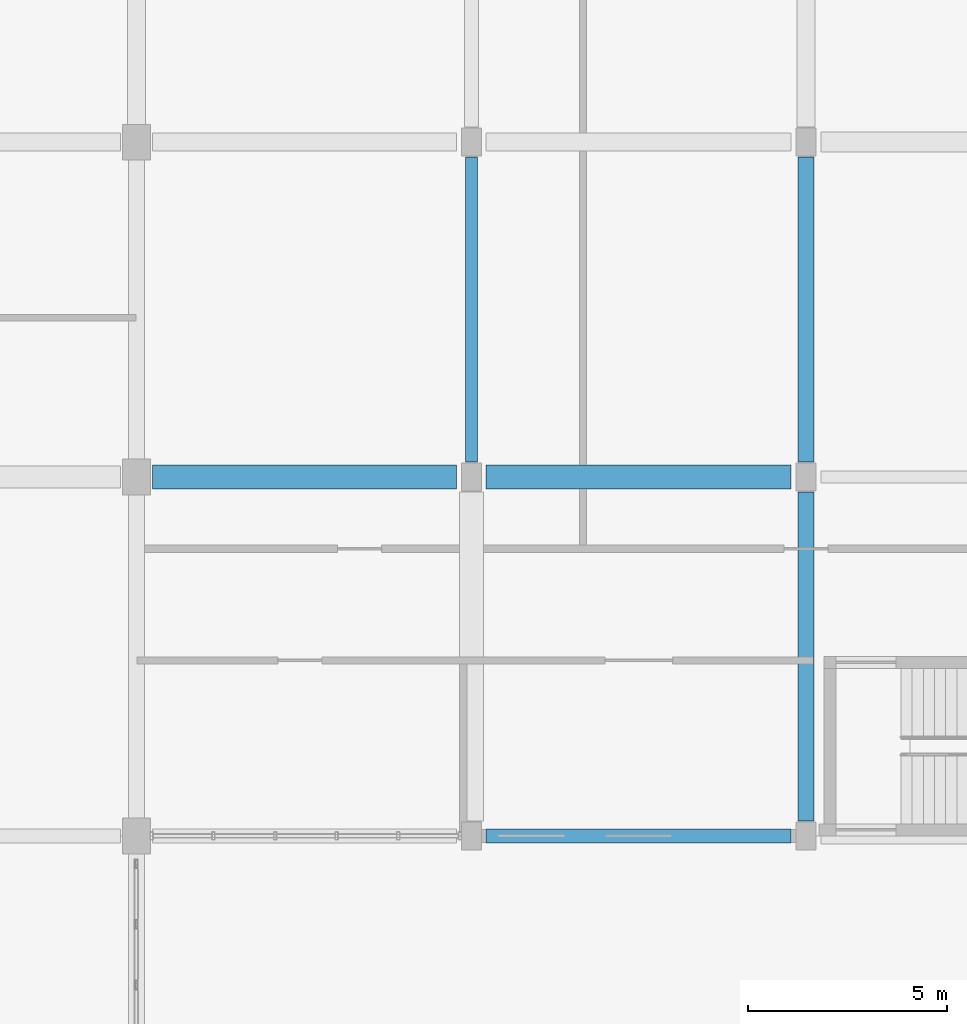
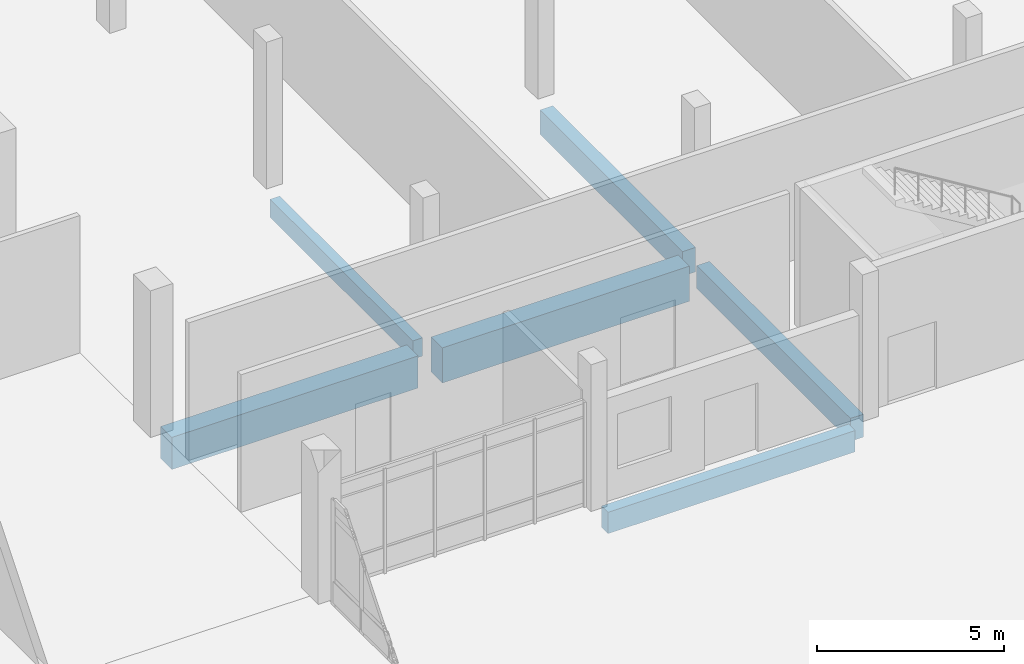
# One storey, part 30 of 95: 6 beams.
"""IFC4 building model written with IfcOpenShell, lengths in metres."""

from ifc_helpers import new_model, si_unit, direction, frame, origin, origin_2d, place, context, subcontext, project, spatial, rectangle, extrude, material, material_profile, profile_set, type_object, element, save


model = new_model("IFC4")

# Units and contexts
model_context = context("Model", 3, precision=1e-05, world=origin(), true_north=direction((0.0, 1.0)))
body_context = subcontext(model_context, "Body", "Model", "MODEL_VIEW")
ifc_project = project(units=[si_unit("LENGTHUNIT", "METRE"), si_unit("AREAUNIT", "SQUARE_METRE"), si_unit("VOLUMEUNIT", "CUBIC_METRE"), si_unit("PLANEANGLEUNIT", "RADIAN"), si_unit("MASSUNIT", "GRAM", prefix="KILO")], contexts=[model_context])

# Site, building, storey
site_placement = place(None, origin())
site = spatial("IfcSite", under=ifc_project, at=site_placement, CompositionType="ELEMENT")
building_placement = place(site_placement, origin())
building = spatial("IfcBuilding", under=site, at=building_placement, Name="Vireocrest Preparatory School", CompositionType="ELEMENT")
storey_placement = place(building_placement, origin())
storey = spatial("IfcBuildingStorey", under=building, at=storey_placement, Name="L00", CompositionType="ELEMENT", Elevation=0.0)

# Beams
ifc_material = material(Name="Concrete 40 MPa", Category="concrete")
ifc_material_profile_1 = material_profile(ifc_material, rectangle(XDim=0.300048828125, YDim=0.60009765625, at=origin_2d()), Name="RC 300x600")
ifc_profile_set_1 = profile_set([ifc_material_profile_1], Name="Concrete 40 MPa")
beam_type_1 = type_object("IfcBeamType", Name="RC Classroom Beam 300x600", PredefinedType="BEAM", material=ifc_profile_set_1)
beam_1_placement = place(storey_placement, frame((117.60009765625, 27.375, -0.64990234375), z_axis=(0.0, 1.0, 0.0), x_axis=(-1.0, 0.0, 0.0)))
element("IfcBeam", 1, at=beam_1_placement, inside=storey, type_object=beam_type_1, Name="Primary Girder B03 L00-0230", PredefinedType="BEAM", context=body_context, shape_type="SweptSolid", body=[
    extrude(rectangle(XDim=0.300048828125, YDim=0.60009765625, at=origin_2d()), origin(), (0.0, 0.0, 1.0), 7.64990234375),
])
ifc_material_profile_2 = material_profile(ifc_material, rectangle(XDim=0.39990234375, YDim=0.75, at=origin_2d()), Name="RC 400x750")
ifc_profile_set_2 = profile_set([ifc_material_profile_2], Name="Concrete 40 MPa")
beam_type_2 = type_object("IfcBeamType", Name="RC Commons Girder 400x750", PredefinedType="BEAM", material=ifc_profile_set_2)
beam_2_placement = place(storey_placement, frame((126.0, 18.375, -0.72509765625), z_axis=(0.0, 1.0, 0.0), x_axis=(-1.0, 0.0, 0.0)))
element("IfcBeam", 2, at=beam_2_placement, inside=storey, type_object=beam_type_2, Name="Primary Girder B09 L00-0236", PredefinedType="BEAM", context=body_context, shape_type="SweptSolid", body=[
    extrude(rectangle(XDim=0.39990234375, YDim=0.75, at=origin_2d()), origin(), (0.0, 0.0, 1.0), 8.25),
])
ifc_material_profile_3 = material_profile(ifc_material, rectangle(XDim=0.60009765625, YDim=1.14990234375, at=origin_2d()), Name="RC 600x1150")
ifc_profile_set_3 = profile_set([ifc_material_profile_3], Name="Concrete 40 MPa")
beam_type_3 = type_object("IfcBeamType", Name="RC Heavy Transfer Girder 600x1150", PredefinedType="BEAM", material=ifc_profile_set_3)
beam_3_placement = place(storey_placement, frame((117.97509765625, 27.0, -0.925048828125), z_axis=(1.0, 0.0, 0.0), x_axis=(0.0, 1.0, 0.0)))
element("IfcBeam", 3, at=beam_3_placement, inside=storey, type_object=beam_type_3, Name="Primary Girder B20 L00-0036", PredefinedType="BEAM", context=body_context, shape_type="SweptSolid", body=[
    extrude(rectangle(XDim=0.60009765625, YDim=1.14990234375, at=origin_2d()), origin(), (0.0, 0.0, 1.0), 7.64990234375),
])
ifc_material_profile_4 = material_profile(ifc_material, rectangle(XDim=0.35009765625, YDim=0.699951171875, at=origin_2d()), Name="RC 350x700")
ifc_profile_set_4 = profile_set([ifc_material_profile_4], Name="Concrete 40 MPa")
beam_type_4 = type_object("IfcBeamType", Name="RC Laboratory Girder 350x700", PredefinedType="BEAM", material=ifc_profile_set_4)
beam_4_placement = place(storey_placement, frame((117.97509765625, 18.0, -0.699951171875), z_axis=(1.0, 0.0, 0.0), x_axis=(0.0, 1.0, 0.0)))
element("IfcBeam", 4, at=beam_4_placement, inside=storey, type_object=beam_type_4, Name="Primary Girder B06 L00-0022", PredefinedType="BEAM", context=body_context, shape_type="SweptSolid", body=[
    extrude(rectangle(XDim=0.35009765625, YDim=0.699951171875, at=origin_2d()), origin(), (0.0, 0.0, 1.0), 7.64990234375),
])
ifc_material_profile_5 = material_profile(ifc_material, rectangle(XDim=0.39990234375, YDim=0.800048828125, at=origin_2d()), Name="RC 400x800")
ifc_profile_set_5 = profile_set([ifc_material_profile_5], Name="Concrete 40 MPa")
beam_type_5 = type_object("IfcBeamType", Name="RC Library Reading Girder 400x800", PredefinedType="BEAM", material=ifc_profile_set_5)
beam_5_placement = place(storey_placement, frame((126.0, 27.375, -0.75), z_axis=(0.0, 1.0, 0.0), x_axis=(-1.0, 0.0, 0.0)))
element("IfcBeam", 5, at=beam_5_placement, inside=storey, type_object=beam_type_5, Name="Primary Girder B10 L00-0237", PredefinedType="BEAM", context=body_context, shape_type="SweptSolid", body=[
    extrude(rectangle(XDim=0.39990234375, YDim=0.800048828125, at=origin_2d()), origin(), (0.0, 0.0, 1.0), 7.64990234375),
])
ifc_material_profile_6 = material_profile(ifc_material, rectangle(XDim=0.60009765625, YDim=1.050048828125, at=origin_2d()), Name="RC 600x1050")
ifc_profile_set_6 = profile_set([ifc_material_profile_6], Name="Concrete 40 MPa")
beam_type_6 = type_object("IfcBeamType", Name="RC Transfer Girder 600x1050", PredefinedType="BEAM", material=ifc_profile_set_6)
beam_6_placement = place(storey_placement, frame((109.60009765625, 27.0, -0.875), z_axis=(1.0, 0.0, 0.0), x_axis=(0.0, 1.0, 0.0)))
element("IfcBeam", 6, at=beam_6_placement, inside=storey, type_object=beam_type_6, Name="Primary Girder B19 L00-0035", PredefinedType="BEAM", context=body_context, shape_type="SweptSolid", body=[
    extrude(rectangle(XDim=0.60009765625, YDim=1.050048828125, at=origin_2d()), origin(), (0.0, 0.0, 1.0), 7.625),
])

save(model, "model.ifc")
